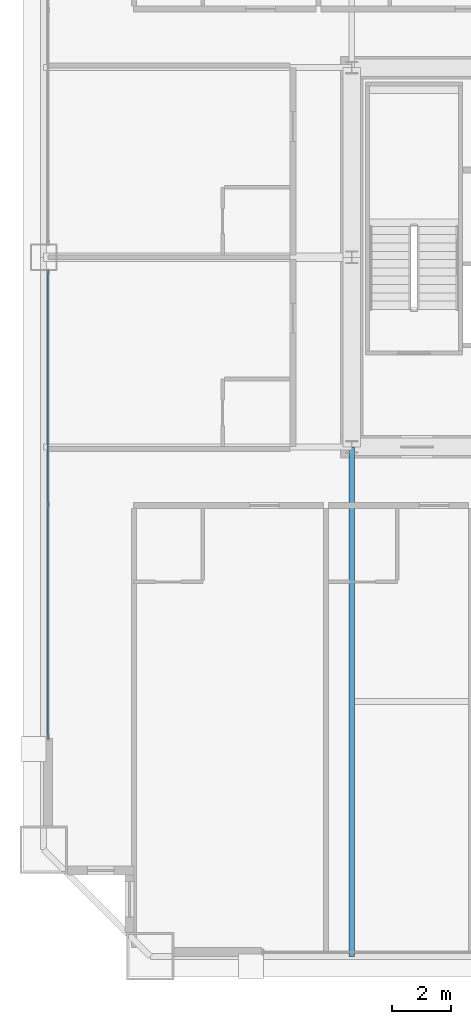
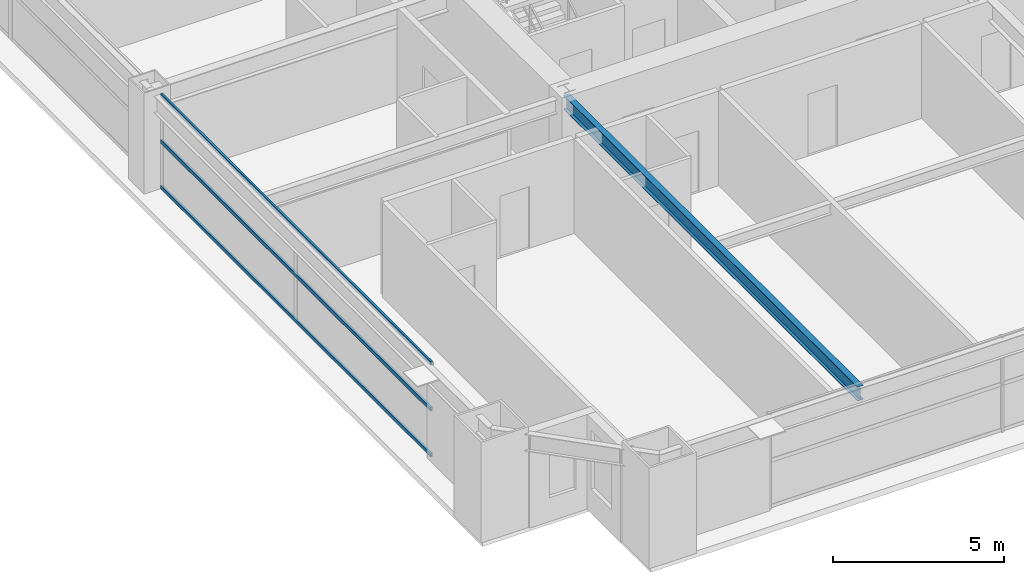
# One storey, part 9 of 39: 3 members, 1 beam, 1 element without a shape of its own.
"""IFC4 building model written with IfcOpenShell, lengths in metres."""

from ifc_helpers import new_model, si_unit, direction, frame, origin, origin_2d, place, context, subcontext, project, spatial, hollow_rectangle, i_section, extrude, source, transform, mapped, material, layer, layer_set, material_profile, profile_set, type_object, element, aggregate, save


model = new_model("IFC4")

# Units and contexts
model_context = context("Model", 3, precision=1e-05, world=origin(), true_north=direction((0.0, 1.0)))
body_context = subcontext(model_context, "Body", "Model", "MODEL_VIEW")
ifc_project = project(units=[si_unit("LENGTHUNIT", "METRE"), si_unit("AREAUNIT", "SQUARE_METRE"), si_unit("VOLUMEUNIT", "CUBIC_METRE"), si_unit("PLANEANGLEUNIT", "RADIAN"), si_unit("MASSUNIT", "GRAM", prefix="KILO"), si_unit("THERMODYNAMICTEMPERATUREUNIT", "KELVIN"), si_unit("POWERUNIT", "WATT")], contexts=[model_context])

# Site, building, storey
site_placement = place(None, origin())
site = spatial("IfcSite", under=ifc_project, at=site_placement, CompositionType="ELEMENT")
building_placement = place(site_placement, origin())
building = spatial("IfcBuilding", under=site, at=building_placement, Name="Yuzanri Waterfront Tower", CompositionType="ELEMENT")
storey_placement = place(building_placement, frame((0.0, 0.0, 156.0)))
storey = spatial("IfcBuildingStorey", under=building, at=storey_placement, Name="L41", CompositionType="ELEMENT", Elevation=156.0)

# Beam
ifc_material_1 = material(Name="Steel Q355B", Category="steel")
ifc_material_profile_1 = material_profile(ifc_material_1, i_section(OverallWidth=0.199951171875, OverallDepth=0.5, WebThickness=0.010009765625, FlangeThickness=0.01611328125, at=origin_2d()), Name="HN 500x200x10x16")
ifc_profile_set_1 = profile_set([ifc_material_profile_1], Name="Steel Q355B")
beam_type = type_object("IfcBeamType", Name="Secondary Floor Beam Q355B HN 500x200", PredefinedType="BEAM", material=ifc_profile_set_1)
shared_shape_1 = source(origin(), body_context, "Body", "SweptSolid", [
    extrude(i_section(OverallWidth=0.199951171875, OverallDepth=0.5, WebThickness=0.010009765625, FlangeThickness=0.01611328125, at=origin_2d()), origin(), (0.0, 0.0, 1.0), 17.199951171875),
])
beam_placement = place(storey_placement, frame((23.800048828125, 19.39990234375, 3.1298828125), z_axis=(0.0, -1.0, 0.0), x_axis=(1.0, 0.0, 0.0)))
element("IfcBeam", 1, at=beam_placement, inside=storey, type_object=beam_type, Name="L41 South-West Core Line Beam", PredefinedType="BEAM", context=body_context, shape_type="MappedRepresentation", body=[
    mapped(shared_shape_1, transform((0.0, 0.0, 0.0), scale=1.0)),
])

# Curtain wall, members
ifc_material_2 = material(Name="Anodized Architectural Bronze", Category="metal")
ifc_layer = layer(ifc_material_2, 0.159912109375)
ifc_layer_set = layer_set([ifc_layer], Name="Anodized Architectural Bronze")
curtain_wall_type = type_object("IfcCurtainWallType", Name="Anodized Bronze Hotel Upper-Tier Solar-Control Unitized Curtain Wall 7800", PredefinedType="NOTDEFINED", material=ifc_layer_set)
curtain_wall_placement = place(storey_placement, origin())
curtain_wall = element("IfcCurtainWall", 2, at=curtain_wall_placement, inside=storey, type_object=curtain_wall_type, Name="L41 Curtain Wall CW-L41-WL", PredefinedType="NOTDEFINED")
ifc_material_3 = material(Name="Anodized Architectural Bronze", Category="metal")
ifc_material_profile_2 = material_profile(ifc_material_3, hollow_rectangle(XDim=0.070068359375, YDim=0.135009765625, WallThickness=0.00341796875, at=origin_2d()), Name="CWT 70x135")
ifc_profile_set_2 = profile_set([ifc_material_profile_2], Name="Anodized Architectural Bronze")
member_type = type_object("IfcMemberType", Name="Anodized Bronze Standard Curtain-Wall Transom 70x135", PredefinedType="USERDEFINED", material=ifc_profile_set_2)
shared_shape_2 = source(origin(), body_context, "Body", "SweptSolid", [
    extrude(hollow_rectangle(XDim=0.070068359375, YDim=0.135009765625, WallThickness=0.00341796875, at=origin_2d()), origin(), (0.0, 0.0, 1.0), 15.800048828125),
])
member_1_placement = place(storey_placement, frame((13.550048828125, 9.550048828125, 0.050048828125), z_axis=(0.0, 1.0, 0.0), x_axis=(-1.0, 0.0, 0.0)))
member_1 = element("IfcMember", 3, at=member_1_placement, type_object=member_type, Name="CW-L41-WL Transom 1", ObjectType="TRANSOM", PredefinedType="USERDEFINED", context=body_context, shape_type="MappedRepresentation", body=[
    mapped(shared_shape_2, transform((0.0, 0.0, 0.0), scale=1.0)),
])
member_2_placement = place(storey_placement, frame((13.550048828125, 9.550048828125, 1.68994140625), z_axis=(0.0, 1.0, 0.0), x_axis=(-1.0, 0.0, 0.0)))
member_2 = element("IfcMember", 4, at=member_2_placement, type_object=member_type, Name="CW-L41-WL Transom 2", ObjectType="TRANSOM", PredefinedType="USERDEFINED", context=body_context, shape_type="MappedRepresentation", body=[
    mapped(shared_shape_2, transform((0.0, 0.0, 0.0), scale=1.0)),
])
member_3_placement = place(storey_placement, frame((13.550048828125, 9.550048828125, 3.330078125), z_axis=(0.0, 1.0, 0.0), x_axis=(-1.0, 0.0, 0.0)))
member_3 = element("IfcMember", 5, at=member_3_placement, type_object=member_type, Name="CW-L41-WL Transom 3", ObjectType="TRANSOM", PredefinedType="USERDEFINED", context=body_context, shape_type="MappedRepresentation", body=[
    mapped(shared_shape_2, transform((0.0, 0.0, 0.0), scale=1.0)),
])
aggregate(curtain_wall, [member_1, member_2, member_3])

save(model, "model.ifc")
